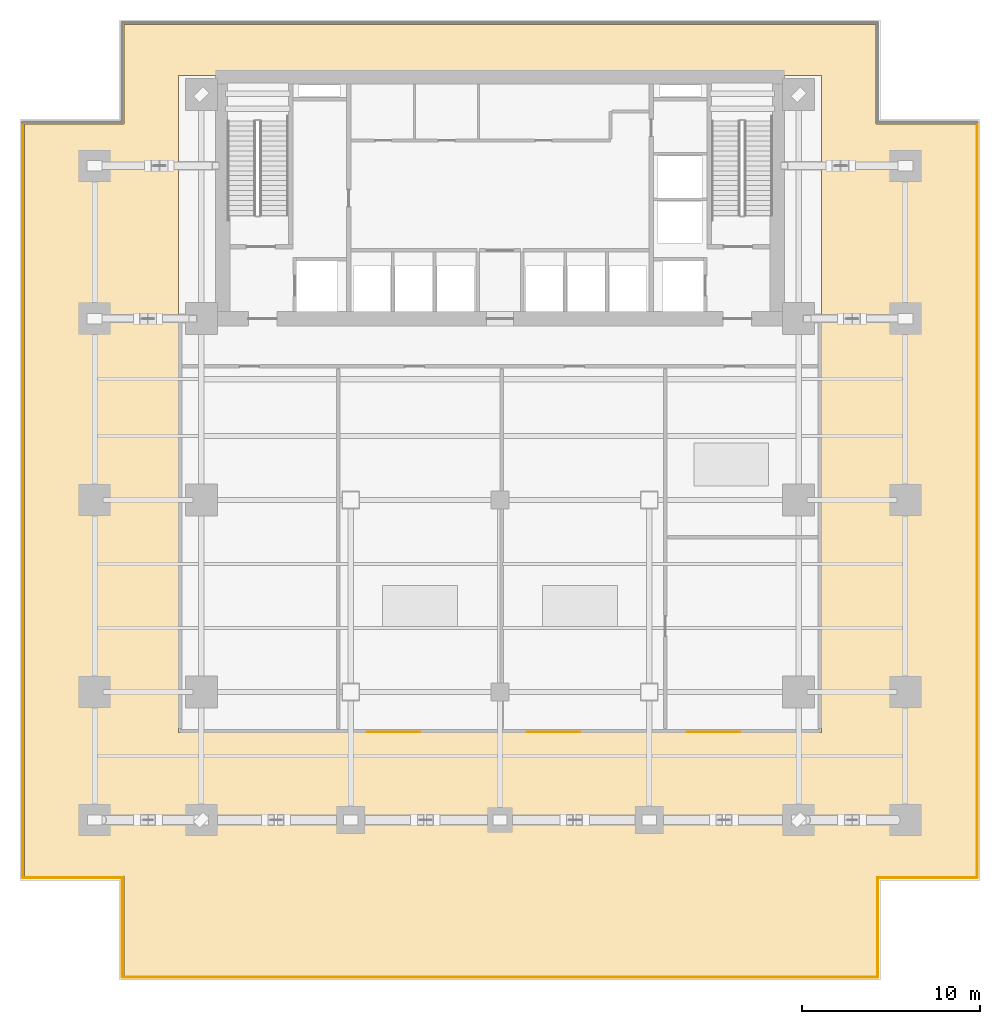
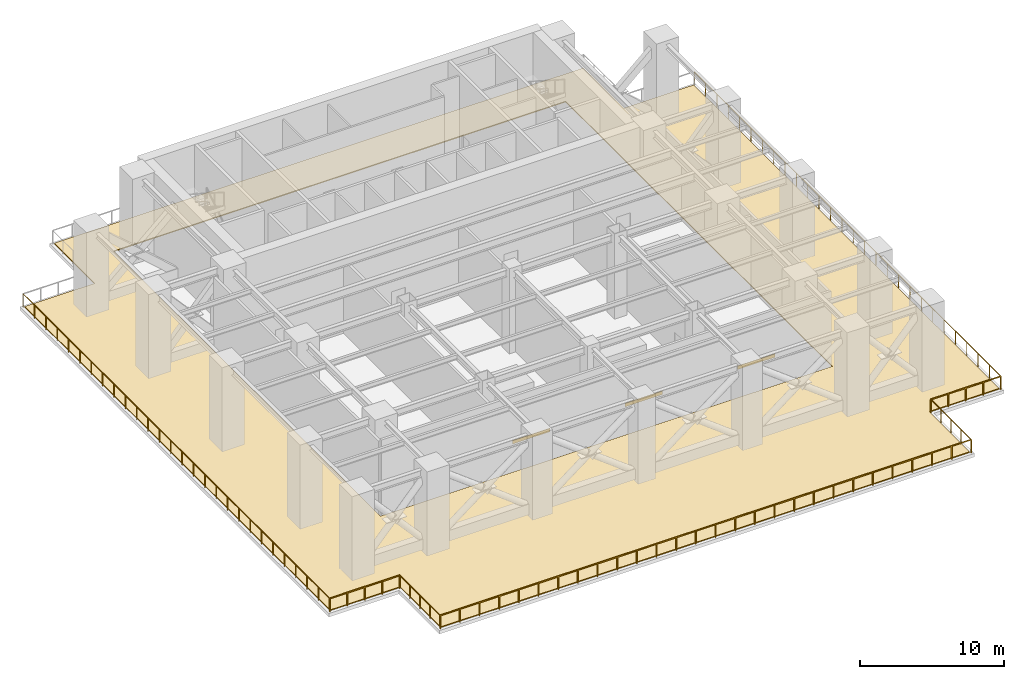
# One storey, part 6 of 10: 7 railings, 3 shading devices, 1 covering.
"""IFC4 building model written with IfcOpenShell, lengths in metres."""

from ifc_helpers import new_model, si_unit, direction, frame, origin, origin_2d, place, context, subcontext, project, spatial, polyline, rectangle, outline, extrude, source, transform, mapped, material, layer, layer_set, material_profile, profile_set, type_object, element, save


model = new_model("IFC4")

# Units and contexts
model_context = context("Model", 3, precision=1e-05, world=origin(), true_north=direction((0.0, 1.0)))
body_context = subcontext(model_context, "Body", "Model", "MODEL_VIEW")
ifc_project = project(units=[si_unit("LENGTHUNIT", "METRE"), si_unit("AREAUNIT", "SQUARE_METRE"), si_unit("VOLUMEUNIT", "CUBIC_METRE"), si_unit("PLANEANGLEUNIT", "RADIAN"), si_unit("MASSUNIT", "GRAM", prefix="KILO")], contexts=[model_context])

# Site, building, storey
site_placement = place(None, origin())
site = spatial("IfcSite", under=ifc_project, at=site_placement, CompositionType="ELEMENT")
building_placement = place(site_placement, origin())
building = spatial("IfcBuilding", under=site, at=building_placement, Name="Sumidabori Civic Tower", CompositionType="ELEMENT")
storey_placement = place(building_placement, frame((0.0, 0.0, 70.39990234375)))
storey = spatial("IfcBuildingStorey", under=building, at=storey_placement, Name="L18", CompositionType="ELEMENT", Elevation=70.39990234375)

# Covering
ifc_material_1 = material(Name="Insulated Waterproof Roofing Membrane")
ifc_layer = layer(ifc_material_1, 0.080078125, Name="Insulated Waterproof Roofing Membrane")
ifc_layer_set = layer_set([ifc_layer], Name="Insulated Waterproof Roofing Membrane")
covering_type = type_object("IfcCoveringType", Name="CV-ROOF-MEM", PredefinedType="ROOFING", material=ifc_layer_set)
covering_placement = place(storey_placement, origin())
element("IfcCovering", 1, at=covering_placement, inside=storey, type_object=covering_type, Name="Wind-Slot Deck Waterproofing Membrane L18-1", PredefinedType="ROOFING", context=body_context, shape_type="SweptSolid", body=[
    extrude(outline(polyline([(-21.159912109375, -21.159912109375), (-26.760009765625, -21.159912109375), (-26.760009765625, 21.159912109375), (-21.159912109375, 21.159912109375), (-21.159912109375, 26.760009765625), (21.159912109375, 26.760009765625), (21.159912109375, 21.159912109375), (26.760009765625, 21.159912109375), (26.760009765625, -21.159912109375), (21.159912109375, -21.159912109375), (21.159912109375, -26.760009765625), (-21.159912109375, -26.760009765625), (-21.159912109375, -21.159912109375)]), holes=[polyline([(18.080078125, 23.8798828125), (-18.080078125, 23.8798828125), (-18.080078125, -13.080078125), (18.080078125, -13.080078125), (18.080078125, 23.8798828125)])]), origin(), (0.0, 0.0, 1.0), 0.080078125),
])

# Railings
ifc_material_2 = material(Name="Anodised Bronze Aluminium AW-6063-T6", Category="aluminium")
railing_type = type_object("IfcRailingType", Name="RL-BAL-1150", PredefinedType="BALUSTRADE", material=ifc_material_2)
railing_1_placement = place(storey_placement, frame((-21.239990234375, -26.840087890625, 0.0)))
element("IfcRailing", 2, at=railing_1_placement, inside=storey, type_object=railing_type, Name="Wind-Slot Refuge Portal Safety Guard L18-01", PredefinedType="BALUSTRADE", context=body_context, shape_type="SweptSolid", body=[
    extrude(rectangle(XDim=0.048095703125, YDim=0.048095703125, at=origin_2d()), frame((0.0, 0.0, 1.1259765625), z_axis=(0.0, 1.0, 0.0), x_axis=(-1.0, 0.0, 0.0)), (0.0, 0.0, 1.0), 5.60009765625),
    extrude(rectangle(XDim=0.0419921875, YDim=0.0419921875, at=origin_2d()), origin(), (0.0, 0.0, 1.0), 1.101806640625),
    extrude(rectangle(XDim=0.0419921875, YDim=0.0419921875, at=origin_2d()), frame((0.0, 1.39990234375, 0.0)), (0.0, 0.0, 1.0), 1.101806640625),
    extrude(rectangle(XDim=0.0419921875, YDim=0.0419921875, at=origin_2d()), frame((0.0, 2.800048828125, 0.0)), (0.0, 0.0, 1.0), 1.101806640625),
    extrude(rectangle(XDim=0.0419921875, YDim=0.0419921875, at=origin_2d()), frame((0.0, 4.2001953125, 0.0)), (0.0, 0.0, 1.0), 1.101806640625),
    extrude(rectangle(XDim=0.0419921875, YDim=0.0419921875, at=origin_2d()), frame((0.0, 5.60009765625, 0.0)), (0.0, 0.0, 1.0), 1.101806640625),
])
railing_2_placement = place(storey_placement, frame((-21.239990234375, -21.239990234375, 0.0)))
element("IfcRailing", 3, at=railing_2_placement, inside=storey, type_object=railing_type, Name="Wind-Slot Refuge Portal Safety Guard L18-02", PredefinedType="BALUSTRADE", context=body_context, shape_type="SweptSolid", body=[
    extrude(rectangle(XDim=0.048095703125, YDim=0.048095703125, at=origin_2d()), frame((0.0, 0.0, 1.1259765625), z_axis=(-1.0, 0.0, 0.0), x_axis=(0.0, -1.0, 0.0)), (0.0, 0.0, 1.0), 5.60009765625),
    extrude(rectangle(XDim=0.0419921875, YDim=0.0419921875, at=origin_2d()), origin(), (0.0, 0.0, 1.0), 1.101806640625),
    extrude(rectangle(XDim=0.0419921875, YDim=0.0419921875, at=origin_2d()), frame((-1.39990234375, 0.0, 0.0)), (0.0, 0.0, 1.0), 1.101806640625),
    extrude(rectangle(XDim=0.0419921875, YDim=0.0419921875, at=origin_2d()), frame((-2.800048828125, 0.0, 0.0)), (0.0, 0.0, 1.0), 1.101806640625),
    extrude(rectangle(XDim=0.0419921875, YDim=0.0419921875, at=origin_2d()), frame((-4.2001953125, 0.0, 0.0)), (0.0, 0.0, 1.0), 1.101806640625),
    extrude(rectangle(XDim=0.0419921875, YDim=0.0419921875, at=origin_2d()), frame((-5.60009765625, 0.0, 0.0)), (0.0, 0.0, 1.0), 1.101806640625),
])
railing_3_placement = place(storey_placement, frame((-26.840087890625, -21.239990234375, 0.0)))
element("IfcRailing", 4, at=railing_3_placement, inside=storey, type_object=railing_type, Name="Wind-Slot Refuge Portal Safety Guard L18-03", PredefinedType="BALUSTRADE", context=body_context, shape_type="SweptSolid", body=[
    extrude(rectangle(XDim=0.048095703125, YDim=0.048095703125, at=origin_2d()), frame((0.0, 0.0, 1.1259765625), z_axis=(0.0, 1.0, 0.0), x_axis=(-1.0, 0.0, 0.0)), (0.0, 0.0, 1.0), 42.47998046875),
    extrude(rectangle(XDim=0.0419921875, YDim=0.0419921875, at=origin_2d()), origin(), (0.0, 0.0, 1.0), 1.101806640625),
    extrude(rectangle(XDim=0.0419921875, YDim=0.0419921875, at=origin_2d()), frame((0.0, 1.5732421875, 0.0)), (0.0, 0.0, 1.0), 1.101806640625),
    extrude(rectangle(XDim=0.0419921875, YDim=0.0419921875, at=origin_2d()), frame((0.0, 3.146728515625, 0.0)), (0.0, 0.0, 1.0), 1.101806640625),
    extrude(rectangle(XDim=0.0419921875, YDim=0.0419921875, at=origin_2d()), frame((0.0, 4.719970703125, 0.0)), (0.0, 0.0, 1.0), 1.101806640625),
    extrude(rectangle(XDim=0.0419921875, YDim=0.0419921875, at=origin_2d()), frame((0.0, 6.293212890625, 0.0)), (0.0, 0.0, 1.0), 1.101806640625),
    extrude(rectangle(XDim=0.0419921875, YDim=0.0419921875, at=origin_2d()), frame((0.0, 7.86669921875, 0.0)), (0.0, 0.0, 1.0), 1.101806640625),
    extrude(rectangle(XDim=0.0419921875, YDim=0.0419921875, at=origin_2d()), frame((0.0, 9.43994140625, 0.0)), (0.0, 0.0, 1.0), 1.101806640625),
    extrude(rectangle(XDim=0.0419921875, YDim=0.0419921875, at=origin_2d()), frame((0.0, 11.013427734375, 0.0)), (0.0, 0.0, 1.0), 1.101806640625),
    extrude(rectangle(XDim=0.0419921875, YDim=0.0419921875, at=origin_2d()), frame((0.0, 12.586669921875, 0.0)), (0.0, 0.0, 1.0), 1.101806640625),
    extrude(rectangle(XDim=0.0419921875, YDim=0.0419921875, at=origin_2d()), frame((0.0, 14.159912109375, 0.0)), (0.0, 0.0, 1.0), 1.101806640625),
    extrude(rectangle(XDim=0.0419921875, YDim=0.0419921875, at=origin_2d()), frame((0.0, 15.7333984375, 0.0)), (0.0, 0.0, 1.0), 1.101806640625),
    extrude(rectangle(XDim=0.0419921875, YDim=0.0419921875, at=origin_2d()), frame((0.0, 17.306640625, 0.0)), (0.0, 0.0, 1.0), 1.101806640625),
    extrude(rectangle(XDim=0.0419921875, YDim=0.0419921875, at=origin_2d()), frame((0.0, 18.8798828125, 0.0)), (0.0, 0.0, 1.0), 1.101806640625),
    extrude(rectangle(XDim=0.0419921875, YDim=0.0419921875, at=origin_2d()), frame((0.0, 20.453369140625, 0.0)), (0.0, 0.0, 1.0), 1.101806640625),
    extrude(rectangle(XDim=0.0419921875, YDim=0.0419921875, at=origin_2d()), frame((0.0, 22.026611328125, 0.0)), (0.0, 0.0, 1.0), 1.101806640625),
    extrude(rectangle(XDim=0.0419921875, YDim=0.0419921875, at=origin_2d()), frame((0.0, 23.60009765625, 0.0)), (0.0, 0.0, 1.0), 1.101806640625),
    extrude(rectangle(XDim=0.0419921875, YDim=0.0419921875, at=origin_2d()), frame((0.0, 25.17333984375, 0.0)), (0.0, 0.0, 1.0), 1.101806640625),
    extrude(rectangle(XDim=0.0419921875, YDim=0.0419921875, at=origin_2d()), frame((0.0, 26.74658203125, 0.0)), (0.0, 0.0, 1.0), 1.101806640625),
    extrude(rectangle(XDim=0.0419921875, YDim=0.0419921875, at=origin_2d()), frame((0.0, 28.320068359375, 0.0)), (0.0, 0.0, 1.0), 1.101806640625),
    extrude(rectangle(XDim=0.0419921875, YDim=0.0419921875, at=origin_2d()), frame((0.0, 29.893310546875, 0.0)), (0.0, 0.0, 1.0), 1.101806640625),
    extrude(rectangle(XDim=0.0419921875, YDim=0.0419921875, at=origin_2d()), frame((0.0, 31.466552734375, 0.0)), (0.0, 0.0, 1.0), 1.101806640625),
    extrude(rectangle(XDim=0.0419921875, YDim=0.0419921875, at=origin_2d()), frame((0.0, 33.0400390625, 0.0)), (0.0, 0.0, 1.0), 1.101806640625),
    extrude(rectangle(XDim=0.0419921875, YDim=0.0419921875, at=origin_2d()), frame((0.0, 34.61328125, 0.0)), (0.0, 0.0, 1.0), 1.101806640625),
    extrude(rectangle(XDim=0.0419921875, YDim=0.0419921875, at=origin_2d()), frame((0.0, 36.186767578125, 0.0)), (0.0, 0.0, 1.0), 1.101806640625),
    extrude(rectangle(XDim=0.0419921875, YDim=0.0419921875, at=origin_2d()), frame((0.0, 37.760009765625, 0.0)), (0.0, 0.0, 1.0), 1.101806640625),
    extrude(rectangle(XDim=0.0419921875, YDim=0.0419921875, at=origin_2d()), frame((0.0, 39.333251953125, 0.0)), (0.0, 0.0, 1.0), 1.101806640625),
    extrude(rectangle(XDim=0.0419921875, YDim=0.0419921875, at=origin_2d()), frame((0.0, 40.90673828125, 0.0)), (0.0, 0.0, 1.0), 1.101806640625),
    extrude(rectangle(XDim=0.0419921875, YDim=0.0419921875, at=origin_2d()), frame((0.0, 42.47998046875, 0.0)), (0.0, 0.0, 1.0), 1.101806640625),
])
railing_4_placement = place(storey_placement, frame((26.840087890625, 21.239990234375, 0.0)))
element("IfcRailing", 5, at=railing_4_placement, inside=storey, type_object=railing_type, Name="Wind-Slot Refuge Portal Safety Guard L18-09", PredefinedType="BALUSTRADE", context=body_context, shape_type="SweptSolid", body=[
    extrude(rectangle(XDim=0.048095703125, YDim=0.048095703125, at=origin_2d()), frame((0.0, 0.0, 1.1259765625), z_axis=(0.0, -1.0, 0.0), x_axis=(1.0, 0.0, 0.0)), (0.0, 0.0, 1.0), 42.47998046875),
    extrude(rectangle(XDim=0.0419921875, YDim=0.0419921875, at=origin_2d()), origin(), (0.0, 0.0, 1.0), 1.101806640625),
    extrude(rectangle(XDim=0.0419921875, YDim=0.0419921875, at=origin_2d()), frame((0.0, -1.5732421875, 0.0)), (0.0, 0.0, 1.0), 1.101806640625),
    extrude(rectangle(XDim=0.0419921875, YDim=0.0419921875, at=origin_2d()), frame((0.0, -3.146728515625, 0.0)), (0.0, 0.0, 1.0), 1.101806640625),
    extrude(rectangle(XDim=0.0419921875, YDim=0.0419921875, at=origin_2d()), frame((0.0, -4.719970703125, 0.0)), (0.0, 0.0, 1.0), 1.101806640625),
    extrude(rectangle(XDim=0.0419921875, YDim=0.0419921875, at=origin_2d()), frame((0.0, -6.293212890625, 0.0)), (0.0, 0.0, 1.0), 1.101806640625),
    extrude(rectangle(XDim=0.0419921875, YDim=0.0419921875, at=origin_2d()), frame((0.0, -7.86669921875, 0.0)), (0.0, 0.0, 1.0), 1.101806640625),
    extrude(rectangle(XDim=0.0419921875, YDim=0.0419921875, at=origin_2d()), frame((0.0, -9.43994140625, 0.0)), (0.0, 0.0, 1.0), 1.101806640625),
    extrude(rectangle(XDim=0.0419921875, YDim=0.0419921875, at=origin_2d()), frame((0.0, -11.013427734375, 0.0)), (0.0, 0.0, 1.0), 1.101806640625),
    extrude(rectangle(XDim=0.0419921875, YDim=0.0419921875, at=origin_2d()), frame((0.0, -12.586669921875, 0.0)), (0.0, 0.0, 1.0), 1.101806640625),
    extrude(rectangle(XDim=0.0419921875, YDim=0.0419921875, at=origin_2d()), frame((0.0, -14.159912109375, 0.0)), (0.0, 0.0, 1.0), 1.101806640625),
    extrude(rectangle(XDim=0.0419921875, YDim=0.0419921875, at=origin_2d()), frame((0.0, -15.7333984375, 0.0)), (0.0, 0.0, 1.0), 1.101806640625),
    extrude(rectangle(XDim=0.0419921875, YDim=0.0419921875, at=origin_2d()), frame((0.0, -17.306640625, 0.0)), (0.0, 0.0, 1.0), 1.101806640625),
    extrude(rectangle(XDim=0.0419921875, YDim=0.0419921875, at=origin_2d()), frame((0.0, -18.8798828125, 0.0)), (0.0, 0.0, 1.0), 1.101806640625),
    extrude(rectangle(XDim=0.0419921875, YDim=0.0419921875, at=origin_2d()), frame((0.0, -20.453369140625, 0.0)), (0.0, 0.0, 1.0), 1.101806640625),
    extrude(rectangle(XDim=0.0419921875, YDim=0.0419921875, at=origin_2d()), frame((0.0, -22.026611328125, 0.0)), (0.0, 0.0, 1.0), 1.101806640625),
    extrude(rectangle(XDim=0.0419921875, YDim=0.0419921875, at=origin_2d()), frame((0.0, -23.60009765625, 0.0)), (0.0, 0.0, 1.0), 1.101806640625),
    extrude(rectangle(XDim=0.0419921875, YDim=0.0419921875, at=origin_2d()), frame((0.0, -25.17333984375, 0.0)), (0.0, 0.0, 1.0), 1.101806640625),
    extrude(rectangle(XDim=0.0419921875, YDim=0.0419921875, at=origin_2d()), frame((0.0, -26.74658203125, 0.0)), (0.0, 0.0, 1.0), 1.101806640625),
    extrude(rectangle(XDim=0.0419921875, YDim=0.0419921875, at=origin_2d()), frame((0.0, -28.320068359375, 0.0)), (0.0, 0.0, 1.0), 1.101806640625),
    extrude(rectangle(XDim=0.0419921875, YDim=0.0419921875, at=origin_2d()), frame((0.0, -29.893310546875, 0.0)), (0.0, 0.0, 1.0), 1.101806640625),
    extrude(rectangle(XDim=0.0419921875, YDim=0.0419921875, at=origin_2d()), frame((0.0, -31.466552734375, 0.0)), (0.0, 0.0, 1.0), 1.101806640625),
    extrude(rectangle(XDim=0.0419921875, YDim=0.0419921875, at=origin_2d()), frame((0.0, -33.0400390625, 0.0)), (0.0, 0.0, 1.0), 1.101806640625),
    extrude(rectangle(XDim=0.0419921875, YDim=0.0419921875, at=origin_2d()), frame((0.0, -34.61328125, 0.0)), (0.0, 0.0, 1.0), 1.101806640625),
    extrude(rectangle(XDim=0.0419921875, YDim=0.0419921875, at=origin_2d()), frame((0.0, -36.186767578125, 0.0)), (0.0, 0.0, 1.0), 1.101806640625),
    extrude(rectangle(XDim=0.0419921875, YDim=0.0419921875, at=origin_2d()), frame((0.0, -37.760009765625, 0.0)), (0.0, 0.0, 1.0), 1.101806640625),
    extrude(rectangle(XDim=0.0419921875, YDim=0.0419921875, at=origin_2d()), frame((0.0, -39.333251953125, 0.0)), (0.0, 0.0, 1.0), 1.101806640625),
    extrude(rectangle(XDim=0.0419921875, YDim=0.0419921875, at=origin_2d()), frame((0.0, -40.90673828125, 0.0)), (0.0, 0.0, 1.0), 1.101806640625),
    extrude(rectangle(XDim=0.0419921875, YDim=0.0419921875, at=origin_2d()), frame((0.0, -42.47998046875, 0.0)), (0.0, 0.0, 1.0), 1.101806640625),
])
railing_5_placement = place(storey_placement, frame((26.840087890625, -21.239990234375, 0.0)))
element("IfcRailing", 6, at=railing_5_placement, inside=storey, type_object=railing_type, Name="Wind-Slot Refuge Portal Safety Guard L18-10", PredefinedType="BALUSTRADE", context=body_context, shape_type="SweptSolid", body=[
    extrude(rectangle(XDim=0.048095703125, YDim=0.048095703125, at=origin_2d()), frame((0.0, 0.0, 1.1259765625), z_axis=(-1.0, 0.0, 0.0), x_axis=(0.0, -1.0, 0.0)), (0.0, 0.0, 1.0), 5.60009765625),
    extrude(rectangle(XDim=0.0419921875, YDim=0.0419921875, at=origin_2d()), origin(), (0.0, 0.0, 1.0), 1.101806640625),
    extrude(rectangle(XDim=0.0419921875, YDim=0.0419921875, at=origin_2d()), frame((-1.39990234375, 0.0, 0.0)), (0.0, 0.0, 1.0), 1.101806640625),
    extrude(rectangle(XDim=0.0419921875, YDim=0.0419921875, at=origin_2d()), frame((-2.800048828125, 0.0, 0.0)), (0.0, 0.0, 1.0), 1.101806640625),
    extrude(rectangle(XDim=0.0419921875, YDim=0.0419921875, at=origin_2d()), frame((-4.2001953125, 0.0, 0.0)), (0.0, 0.0, 1.0), 1.101806640625),
    extrude(rectangle(XDim=0.0419921875, YDim=0.0419921875, at=origin_2d()), frame((-5.60009765625, 0.0, 0.0)), (0.0, 0.0, 1.0), 1.101806640625),
])
railing_6_placement = place(storey_placement, frame((21.239990234375, -21.239990234375, 0.0)))
element("IfcRailing", 7, at=railing_6_placement, inside=storey, type_object=railing_type, Name="Wind-Slot Refuge Portal Safety Guard L18-11", PredefinedType="BALUSTRADE", context=body_context, shape_type="SweptSolid", body=[
    extrude(rectangle(XDim=0.048095703125, YDim=0.048095703125, at=origin_2d()), frame((0.0, 0.0, 1.1259765625), z_axis=(0.0, -1.0, 0.0), x_axis=(1.0, 0.0, 0.0)), (0.0, 0.0, 1.0), 5.60009765625),
    extrude(rectangle(XDim=0.0419921875, YDim=0.0419921875, at=origin_2d()), origin(), (0.0, 0.0, 1.0), 1.101806640625),
    extrude(rectangle(XDim=0.0419921875, YDim=0.0419921875, at=origin_2d()), frame((0.0, -1.39990234375, 0.0)), (0.0, 0.0, 1.0), 1.101806640625),
    extrude(rectangle(XDim=0.0419921875, YDim=0.0419921875, at=origin_2d()), frame((0.0, -2.800048828125, 0.0)), (0.0, 0.0, 1.0), 1.101806640625),
    extrude(rectangle(XDim=0.0419921875, YDim=0.0419921875, at=origin_2d()), frame((0.0, -4.2001953125, 0.0)), (0.0, 0.0, 1.0), 1.101806640625),
    extrude(rectangle(XDim=0.0419921875, YDim=0.0419921875, at=origin_2d()), frame((0.0, -5.60009765625, 0.0)), (0.0, 0.0, 1.0), 1.101806640625),
])
railing_7_placement = place(storey_placement, frame((21.239990234375, -26.840087890625, 0.0)))
element("IfcRailing", 8, at=railing_7_placement, inside=storey, type_object=railing_type, Name="Wind-Slot Refuge Portal Safety Guard L18-12", PredefinedType="BALUSTRADE", context=body_context, shape_type="SweptSolid", body=[
    extrude(rectangle(XDim=0.048095703125, YDim=0.048095703125, at=origin_2d()), frame((0.0, 0.0, 1.1259765625), z_axis=(-1.0, 0.0, 0.0), x_axis=(0.0, -1.0, 0.0)), (0.0, 0.0, 1.0), 42.47998046875),
    extrude(rectangle(XDim=0.0419921875, YDim=0.0419921875, at=origin_2d()), origin(), (0.0, 0.0, 1.0), 1.101806640625),
    extrude(rectangle(XDim=0.0419921875, YDim=0.0419921875, at=origin_2d()), frame((-1.5732421875, 0.0, 0.0)), (0.0, 0.0, 1.0), 1.101806640625),
    extrude(rectangle(XDim=0.0419921875, YDim=0.0419921875, at=origin_2d()), frame((-3.146728515625, 0.0, 0.0)), (0.0, 0.0, 1.0), 1.101806640625),
    extrude(rectangle(XDim=0.0419921875, YDim=0.0419921875, at=origin_2d()), frame((-4.719970703125, 0.0, 0.0)), (0.0, 0.0, 1.0), 1.101806640625),
    extrude(rectangle(XDim=0.0419921875, YDim=0.0419921875, at=origin_2d()), frame((-6.293212890625, 0.0, 0.0)), (0.0, 0.0, 1.0), 1.101806640625),
    extrude(rectangle(XDim=0.0419921875, YDim=0.0419921875, at=origin_2d()), frame((-7.86669921875, 0.0, 0.0)), (0.0, 0.0, 1.0), 1.101806640625),
    extrude(rectangle(XDim=0.0419921875, YDim=0.0419921875, at=origin_2d()), frame((-9.43994140625, 0.0, 0.0)), (0.0, 0.0, 1.0), 1.101806640625),
    extrude(rectangle(XDim=0.0419921875, YDim=0.0419921875, at=origin_2d()), frame((-11.013427734375, 0.0, 0.0)), (0.0, 0.0, 1.0), 1.101806640625),
    extrude(rectangle(XDim=0.0419921875, YDim=0.0419921875, at=origin_2d()), frame((-12.586669921875, 0.0, 0.0)), (0.0, 0.0, 1.0), 1.101806640625),
    extrude(rectangle(XDim=0.0419921875, YDim=0.0419921875, at=origin_2d()), frame((-14.159912109375, 0.0, 0.0)), (0.0, 0.0, 1.0), 1.101806640625),
    extrude(rectangle(XDim=0.0419921875, YDim=0.0419921875, at=origin_2d()), frame((-15.7333984375, 0.0, 0.0)), (0.0, 0.0, 1.0), 1.101806640625),
    extrude(rectangle(XDim=0.0419921875, YDim=0.0419921875, at=origin_2d()), frame((-17.306640625, 0.0, 0.0)), (0.0, 0.0, 1.0), 1.101806640625),
    extrude(rectangle(XDim=0.0419921875, YDim=0.0419921875, at=origin_2d()), frame((-18.8798828125, 0.0, 0.0)), (0.0, 0.0, 1.0), 1.101806640625),
    extrude(rectangle(XDim=0.0419921875, YDim=0.0419921875, at=origin_2d()), frame((-20.453369140625, 0.0, 0.0)), (0.0, 0.0, 1.0), 1.101806640625),
    extrude(rectangle(XDim=0.0419921875, YDim=0.0419921875, at=origin_2d()), frame((-22.026611328125, 0.0, 0.0)), (0.0, 0.0, 1.0), 1.101806640625),
    extrude(rectangle(XDim=0.0419921875, YDim=0.0419921875, at=origin_2d()), frame((-23.60009765625, 0.0, 0.0)), (0.0, 0.0, 1.0), 1.101806640625),
    extrude(rectangle(XDim=0.0419921875, YDim=0.0419921875, at=origin_2d()), frame((-25.17333984375, 0.0, 0.0)), (0.0, 0.0, 1.0), 1.101806640625),
    extrude(rectangle(XDim=0.0419921875, YDim=0.0419921875, at=origin_2d()), frame((-26.74658203125, 0.0, 0.0)), (0.0, 0.0, 1.0), 1.101806640625),
    extrude(rectangle(XDim=0.0419921875, YDim=0.0419921875, at=origin_2d()), frame((-28.320068359375, 0.0, 0.0)), (0.0, 0.0, 1.0), 1.101806640625),
    extrude(rectangle(XDim=0.0419921875, YDim=0.0419921875, at=origin_2d()), frame((-29.893310546875, 0.0, 0.0)), (0.0, 0.0, 1.0), 1.101806640625),
    extrude(rectangle(XDim=0.0419921875, YDim=0.0419921875, at=origin_2d()), frame((-31.466552734375, 0.0, 0.0)), (0.0, 0.0, 1.0), 1.101806640625),
    extrude(rectangle(XDim=0.0419921875, YDim=0.0419921875, at=origin_2d()), frame((-33.0400390625, 0.0, 0.0)), (0.0, 0.0, 1.0), 1.101806640625),
    extrude(rectangle(XDim=0.0419921875, YDim=0.0419921875, at=origin_2d()), frame((-34.61328125, 0.0, 0.0)), (0.0, 0.0, 1.0), 1.101806640625),
    extrude(rectangle(XDim=0.0419921875, YDim=0.0419921875, at=origin_2d()), frame((-36.186767578125, 0.0, 0.0)), (0.0, 0.0, 1.0), 1.101806640625),
    extrude(rectangle(XDim=0.0419921875, YDim=0.0419921875, at=origin_2d()), frame((-37.760009765625, 0.0, 0.0)), (0.0, 0.0, 1.0), 1.101806640625),
    extrude(rectangle(XDim=0.0419921875, YDim=0.0419921875, at=origin_2d()), frame((-39.333251953125, 0.0, 0.0)), (0.0, 0.0, 1.0), 1.101806640625),
    extrude(rectangle(XDim=0.0419921875, YDim=0.0419921875, at=origin_2d()), frame((-40.90673828125, 0.0, 0.0)), (0.0, 0.0, 1.0), 1.101806640625),
    extrude(rectangle(XDim=0.0419921875, YDim=0.0419921875, at=origin_2d()), frame((-42.47998046875, 0.0, 0.0)), (0.0, 0.0, 1.0), 1.101806640625),
])

# Shading devices
ifc_material_profile = material_profile(ifc_material_2, rectangle(XDim=0.050048828125, YDim=0.280029296875, at=origin_2d()), Name="BRONZE LOUVRE 280x50")
ifc_profile_set = profile_set([ifc_material_profile], Name="Anodised Bronze Aluminium AW-6063-T6")
shading_device_type = type_object("IfcShadingDeviceType", Name="SH-LVR-280", PredefinedType="JALOUSIE", material=ifc_profile_set)
shared_shape = source(origin(), body_context, "Body", "SweptSolid", [
    extrude(rectangle(XDim=0.050048828125, YDim=0.280029296875, at=origin_2d()), origin(), (0.0, 0.0, 1.0), 3.0),
])
for number, where, z_axis, x_axis, name in (
    (9, (-7.5, -13.050048828125, 2.60009765625), (1.0, 0.0, 0.0), (0.0, 1.0, 0.0), "Recessed Plant Pod Weather Louvre L18-1"),
    (10, (1.5, -13.050048828125, 2.60009765625), (1.0, 0.0, 0.0), (0.0, 1.0, 0.0), "Recessed Plant Pod Weather Louvre L18-2"),
    (11, (10.5, -13.050048828125, 2.60009765625), (1.0, 0.0, 0.0), (0.0, 1.0, 0.0), "Recessed Plant Pod Weather Louvre L18-3"),
):
    element("IfcShadingDevice", number, at=place(storey_placement, frame(where, z_axis=z_axis, x_axis=x_axis)), inside=storey, type_object=shading_device_type, Name=name, PredefinedType="JALOUSIE", context=body_context, shape_type="MappedRepresentation", body=[
        mapped(shared_shape, transform((0.0, 0.0, 0.0), x_axis=(1.0, 0.0, 0.0), y_axis=(0.0, 1.0, 0.0), z_axis=(0.0, 0.0, 1.0), scale=1.0)),
    ])

save(model, "model.ifc")
